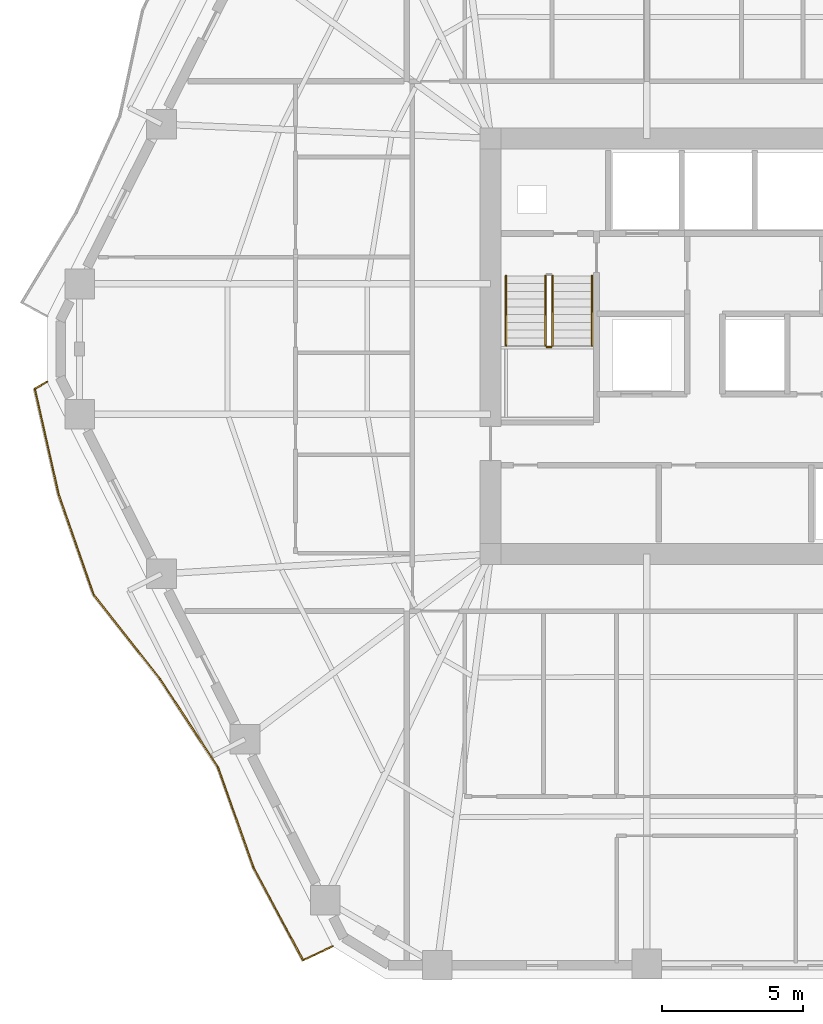
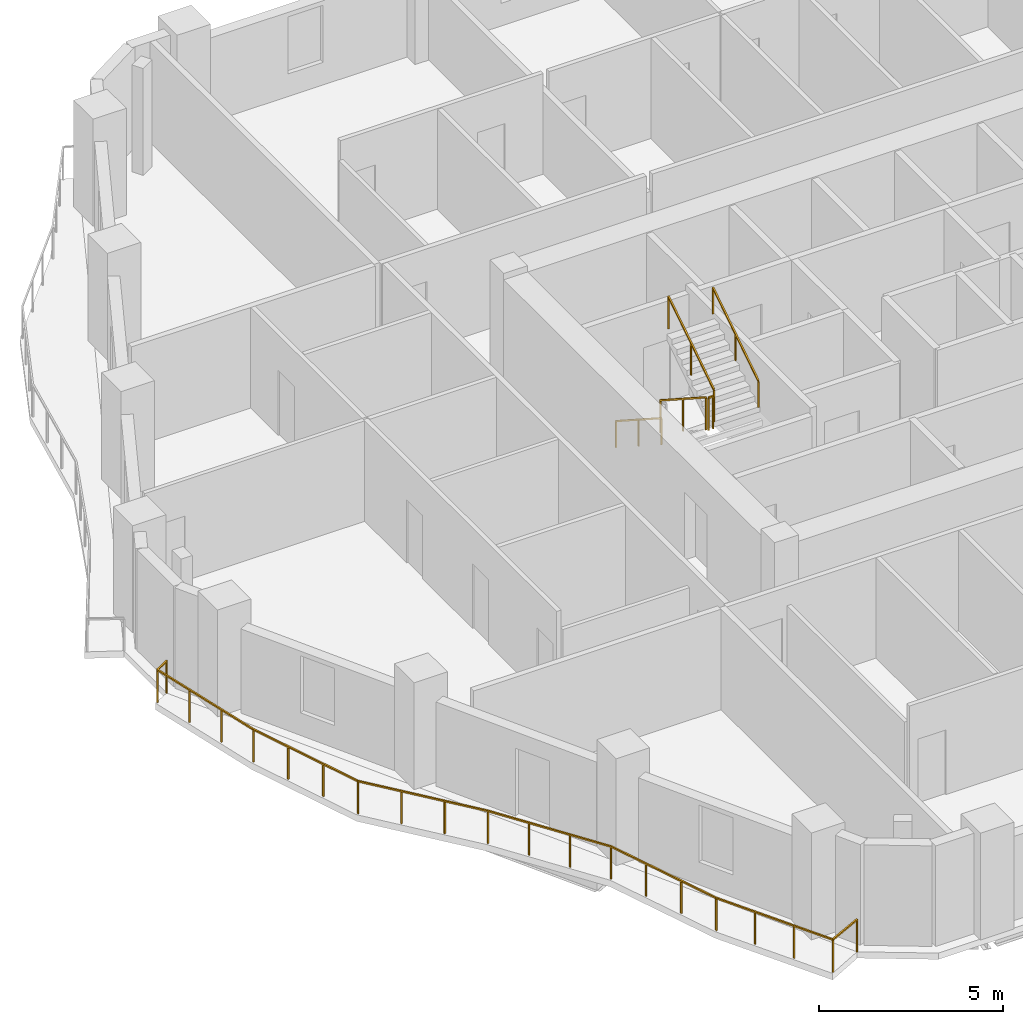
# One storey, part 9 of 11: 6 railings.
"""IFC4 building model written with IfcOpenShell, lengths in metres."""

from ifc_helpers import new_model, si_unit, direction, frame, origin, origin_2d, place, context, subcontext, project, spatial, rectangle, extrude, material, type_object, element, save


model = new_model("IFC4")

# Units and contexts
model_context = context("Model", 3, precision=1e-05, world=origin(), true_north=direction((0.0, 1.0)))
body_context = subcontext(model_context, "Body", "Model", "MODEL_VIEW")
ifc_project = project(units=[si_unit("LENGTHUNIT", "METRE"), si_unit("AREAUNIT", "SQUARE_METRE"), si_unit("VOLUMEUNIT", "CUBIC_METRE"), si_unit("PLANEANGLEUNIT", "RADIAN"), si_unit("MASSUNIT", "GRAM", prefix="KILO")], contexts=[model_context])

# Site, building, storey
site_placement = place(None, origin())
site = spatial("IfcSite", under=ifc_project, at=site_placement, CompositionType="ELEMENT")
building_placement = place(site_placement, origin())
building = spatial("IfcBuilding", under=site, at=building_placement, Name="Cinnabar Lancet Tower", CompositionType="ELEMENT")
storey_placement = place(building_placement, frame((0.0, 0.0, 101.949951171875)))
storey = spatial("IfcBuildingStorey", under=building, at=storey_placement, Name="L26", CompositionType="ELEMENT", Elevation=101.949951171875)

# Railings
ifc_material_1 = material(Name="Laminated safety glass and bronze stainless steel balustrade", Category="steel")
railing_type_1 = type_object("IfcRailingType", Name="ENV-RLG-BAL-1100", PredefinedType="BALUSTRADE", material=ifc_material_1)
railing_1_placement = place(storey_placement, frame((7.287109375, 24.639892578125, 0.0)))
element("IfcRailing", 1, at=railing_1_placement, inside=storey, type_object=railing_type_1, Name="L26 Face 6 Wave Balcony Balustrade", PredefinedType="BALUSTRADE", context=body_context, shape_type="SweptSolid", body=[
    extrude(rectangle(XDim=0.048095703125, YDim=0.048095703125, at=origin_2d()), frame((0.0, 0.0, 1.076171875), z_axis=(-0.865715051361, -0.500537161304, 0.0), x_axis=(0.500537161304, -0.865715051361, 0.0)), (0.0, 0.0, 1.0), 0.50146484375),
    extrude(rectangle(XDim=0.048095703125, YDim=0.048095703125, at=origin_2d()), frame((-0.43408203125, -0.2509765625, 1.076171875), z_axis=(0.220079775706, -0.975481876984, 0.0), x_axis=(0.975481876984, 0.220079775706, 0.0)), (0.0, 0.0, 1.0), 3.84814453125),
    extrude(rectangle(XDim=0.048095703125, YDim=0.048095703125, at=origin_2d()), frame((0.412841796875, -4.0048828125, 1.076171875), z_axis=(0.329971894436, -0.943990756778, 0.0), x_axis=(0.943990756778, 0.329971894436, 0.0)), (0.0, 0.0, 1.0), 3.763671875),
    extrude(rectangle(XDim=0.048095703125, YDim=0.048095703125, at=origin_2d()), frame((1.65478515625, -7.557861328125, 1.076171875), z_axis=(0.618911809816, -0.785460483837, 0.0), x_axis=(0.785460483837, 0.618911809816, 0.0)), (0.0, 0.0, 1.0), 3.805419921875),
    extrude(rectangle(XDim=0.048095703125, YDim=0.048095703125, at=origin_2d()), frame((4.010009765625, -10.546875, 1.076171875), z_axis=(0.548274187943, -0.836298639742, 0.0), x_axis=(0.836298639742, 0.548274187943, 0.0)), (0.0, 0.0, 1.0), 3.75341796875),
    extrude(rectangle(XDim=0.048095703125, YDim=0.048095703125, at=origin_2d()), frame((6.06787109375, -13.685791015625, 1.076171875), z_axis=(0.333725866352, -0.94267016826, 0.0), x_axis=(0.94267016826, 0.333725866352, 0.0)), (0.0, 0.0, 1.0), 3.763916015625),
    extrude(rectangle(XDim=0.048095703125, YDim=0.048095703125, at=origin_2d()), frame((7.323974609375, -17.23388671875, 1.076171875), z_axis=(0.471684176854, -0.881767564217, 0.0), x_axis=(0.881767564217, 0.471684176854, 0.0)), (0.0, 0.0, 1.0), 3.7333984375),
    extrude(rectangle(XDim=0.048095703125, YDim=0.048095703125, at=origin_2d()), frame((9.0849609375, -20.52587890625, 1.076171875), z_axis=(0.9039776364, 0.427579738632, 0.0), x_axis=(-0.427579738632, 0.9039776364, 0.0)), (0.0, 0.0, 1.0), 1.16015625),
    extrude(rectangle(XDim=0.0419921875, YDim=0.0419921875, at=origin_2d()), origin(), (0.0, 0.0, 1.0), 1.052001953125),
    extrude(rectangle(XDim=0.0419921875, YDim=0.0419921875, at=origin_2d()), frame((-0.43408203125, -0.2509765625, 0.0)), (0.0, 0.0, 1.0), 1.052001953125),
    extrude(rectangle(XDim=0.0419921875, YDim=0.0419921875, at=origin_2d()), frame((-0.15185546875, -1.502197265625, 0.0)), (0.0, 0.0, 1.0), 1.052001953125),
    extrude(rectangle(XDim=0.0419921875, YDim=0.0419921875, at=origin_2d()), frame((0.130615234375, -2.753662109375, 0.0)), (0.0, 0.0, 1.0), 1.052001953125),
    extrude(rectangle(XDim=0.0419921875, YDim=0.0419921875, at=origin_2d()), frame((0.412841796875, -4.0048828125, 0.0)), (0.0, 0.0, 1.0), 1.052001953125),
    extrude(rectangle(XDim=0.0419921875, YDim=0.0419921875, at=origin_2d()), frame((0.826904296875, -5.189208984375, 0.0)), (0.0, 0.0, 1.0), 1.052001953125),
    extrude(rectangle(XDim=0.0419921875, YDim=0.0419921875, at=origin_2d()), frame((1.24072265625, -6.37353515625, 0.0)), (0.0, 0.0, 1.0), 1.052001953125),
    extrude(rectangle(XDim=0.0419921875, YDim=0.0419921875, at=origin_2d()), frame((1.65478515625, -7.557861328125, 0.0)), (0.0, 0.0, 1.0), 1.052001953125),
    extrude(rectangle(XDim=0.0419921875, YDim=0.0419921875, at=origin_2d()), frame((2.43994140625, -8.55419921875, 0.0)), (0.0, 0.0, 1.0), 1.052001953125),
    extrude(rectangle(XDim=0.0419921875, YDim=0.0419921875, at=origin_2d()), frame((3.224853515625, -9.550537109375, 0.0)), (0.0, 0.0, 1.0), 1.052001953125),
    extrude(rectangle(XDim=0.0419921875, YDim=0.0419921875, at=origin_2d()), frame((4.010009765625, -10.546875, 0.0)), (0.0, 0.0, 1.0), 1.052001953125),
    extrude(rectangle(XDim=0.0419921875, YDim=0.0419921875, at=origin_2d()), frame((4.696044921875, -11.59326171875, 0.0)), (0.0, 0.0, 1.0), 1.052001953125),
    extrude(rectangle(XDim=0.0419921875, YDim=0.0419921875, at=origin_2d()), frame((5.3818359375, -12.639404296875, 0.0)), (0.0, 0.0, 1.0), 1.052001953125),
    extrude(rectangle(XDim=0.0419921875, YDim=0.0419921875, at=origin_2d()), frame((6.06787109375, -13.685791015625, 0.0)), (0.0, 0.0, 1.0), 1.052001953125),
    extrude(rectangle(XDim=0.0419921875, YDim=0.0419921875, at=origin_2d()), frame((6.486572265625, -14.868408203125, 0.0)), (0.0, 0.0, 1.0), 1.052001953125),
    extrude(rectangle(XDim=0.0419921875, YDim=0.0419921875, at=origin_2d()), frame((6.9052734375, -16.05126953125, 0.0)), (0.0, 0.0, 1.0), 1.052001953125),
    extrude(rectangle(XDim=0.0419921875, YDim=0.0419921875, at=origin_2d()), frame((7.323974609375, -17.23388671875, 0.0)), (0.0, 0.0, 1.0), 1.052001953125),
    extrude(rectangle(XDim=0.0419921875, YDim=0.0419921875, at=origin_2d()), frame((7.910888671875, -18.331298828125, 0.0)), (0.0, 0.0, 1.0), 1.052001953125),
    extrude(rectangle(XDim=0.0419921875, YDim=0.0419921875, at=origin_2d()), frame((8.498046875, -19.428466796875, 0.0)), (0.0, 0.0, 1.0), 1.052001953125),
    extrude(rectangle(XDim=0.0419921875, YDim=0.0419921875, at=origin_2d()), frame((9.0849609375, -20.52587890625, 0.0)), (0.0, 0.0, 1.0), 1.052001953125),
    extrude(rectangle(XDim=0.0419921875, YDim=0.0419921875, at=origin_2d()), frame((10.1337890625, -20.02978515625, 0.0)), (0.0, 0.0, 1.0), 1.052001953125),
])
ifc_material_2 = material(Name="Painted galvanized steel balustrade", Category="steel")
railing_type_2 = type_object("IfcRailingType", Name="GUARD-STAIR", PredefinedType="GUARDRAIL", material=ifc_material_2)
railing_2_placement = place(storey_placement, frame((24.97509765625, 28.39990234375, 0.177490234375)))
element("IfcRailing", 2, at=railing_2_placement, inside=storey, type_object=railing_type_2, Name="L26 ST-1 stair guard 1", PredefinedType="GUARDRAIL", context=body_context, shape_type="SweptSolid", body=[
    extrude(rectangle(XDim=0.048095703125, YDim=0.048095703125, at=origin_2d()), frame((0.0, 0.0, 1.076171875), z_axis=(0.0, -0.84014559416, 0.542360932049), x_axis=(1.0, 0.0, 0.0)), (0.0, 0.0, 1.0), 2.94580078125),
    extrude(rectangle(XDim=0.0419921875, YDim=0.0419921875, at=origin_2d()), origin(), (0.0, 0.0, 1.0), 1.052001953125),
    extrude(rectangle(XDim=0.0419921875, YDim=0.0419921875, at=origin_2d()), frame((0.0, -1.2373046875, 0.798828125)), (0.0, 0.0, 1.0), 1.052001953125),
    extrude(rectangle(XDim=0.0419921875, YDim=0.0419921875, at=origin_2d()), frame((0.0, -2.474853515625, 1.59765625)), (0.0, 0.0, 1.0), 1.052001953125),
])
railing_3_placement = place(storey_placement, frame((25.02490234375, 25.875, 1.775146484375)))
element("IfcRailing", 3, at=railing_3_placement, inside=storey, type_object=railing_type_2, Name="L26 ST-1 stair guard 2", PredefinedType="GUARDRAIL", context=body_context, shape_type="SweptSolid", body=[
    extrude(rectangle(XDim=0.048095703125, YDim=0.048095703125, at=origin_2d()), frame((0.0, 0.0, 1.076171875), z_axis=(1.0, 0.0, 0.0), x_axis=(0.0, 1.0, 0.0)), (0.0, 0.0, 1.0), 0.150146484375),
    extrude(rectangle(XDim=0.0419921875, YDim=0.0419921875, at=origin_2d()), origin(), (0.0, 0.0, 1.0), 1.052001953125),
    extrude(rectangle(XDim=0.0419921875, YDim=0.0419921875, at=origin_2d()), frame((0.150146484375, 0.0, 0.0)), (0.0, 0.0, 1.0), 1.052001953125),
])
railing_4_placement = place(storey_placement, frame((25.22509765625, 25.925048828125, 1.95263671875)))
element("IfcRailing", 4, at=railing_4_placement, inside=storey, type_object=railing_type_2, Name="L26 ST-1 stair guard 3", PredefinedType="GUARDRAIL", context=body_context, shape_type="SweptSolid", body=[
    extrude(rectangle(XDim=0.048095703125, YDim=0.048095703125, at=origin_2d()), frame((0.0, 0.0, 1.076171875), z_axis=(0.0, 0.840183358697, 0.542302428327), x_axis=(-1.0, 0.0, 0.0)), (0.0, 0.0, 1.0), 2.945556640625),
    extrude(rectangle(XDim=0.0419921875, YDim=0.0419921875, at=origin_2d()), origin(), (0.0, 0.0, 1.0), 1.052001953125),
    extrude(rectangle(XDim=0.0419921875, YDim=0.0419921875, at=origin_2d()), frame((0.0, 1.2373046875, 0.798828125)), (0.0, 0.0, 1.0), 1.052001953125),
    extrude(rectangle(XDim=0.0419921875, YDim=0.0419921875, at=origin_2d()), frame((0.0, 2.474853515625, 1.597412109375)), (0.0, 0.0, 1.0), 1.052001953125),
])
ifc_material_3 = material(Name="Brushed stainless steel handrail", Category="steel")
railing_type_3 = type_object("IfcRailingType", Name="HANDRAIL-STAIR", PredefinedType="HANDRAIL", material=ifc_material_3)
railing_5_placement = place(storey_placement, frame((23.574951171875, 28.39990234375, 0.177490234375)))
element("IfcRailing", 5, at=railing_5_placement, inside=storey, type_object=railing_type_3, Name="L26 ST-1 stair handrail 1", PredefinedType="HANDRAIL", context=body_context, shape_type="SweptSolid", body=[
    extrude(rectangle(XDim=0.048095703125, YDim=0.048095703125, at=origin_2d()), frame((0.0, 0.0, 0.8759765625), z_axis=(0.0, -0.84014559416, 0.542360932049), x_axis=(1.0, 0.0, 0.0)), (0.0, 0.0, 1.0), 2.94580078125),
    extrude(rectangle(XDim=0.0419921875, YDim=0.0419921875, at=origin_2d()), origin(), (0.0, 0.0, 1.0), 0.851806640625),
    extrude(rectangle(XDim=0.0419921875, YDim=0.0419921875, at=origin_2d()), frame((0.0, -1.2373046875, 0.798828125)), (0.0, 0.0, 1.0), 0.851806640625),
    extrude(rectangle(XDim=0.0419921875, YDim=0.0419921875, at=origin_2d()), frame((0.0, -2.474853515625, 1.59765625)), (0.0, 0.0, 1.0), 0.851806640625),
])
railing_6_placement = place(storey_placement, frame((26.625, 25.925048828125, 1.95263671875)))
element("IfcRailing", 6, at=railing_6_placement, inside=storey, type_object=railing_type_3, Name="L26 ST-1 stair handrail 2", PredefinedType="HANDRAIL", context=body_context, shape_type="SweptSolid", body=[
    extrude(rectangle(XDim=0.048095703125, YDim=0.048095703125, at=origin_2d()), frame((0.0, 0.0, 0.8759765625), z_axis=(0.0, 0.840183358697, 0.542302428327), x_axis=(-1.0, 0.0, 0.0)), (0.0, 0.0, 1.0), 2.945556640625),
    extrude(rectangle(XDim=0.0419921875, YDim=0.0419921875, at=origin_2d()), origin(), (0.0, 0.0, 1.0), 0.851806640625),
    extrude(rectangle(XDim=0.0419921875, YDim=0.0419921875, at=origin_2d()), frame((0.0, 1.2373046875, 0.798828125)), (0.0, 0.0, 1.0), 0.851806640625),
    extrude(rectangle(XDim=0.0419921875, YDim=0.0419921875, at=origin_2d()), frame((0.0, 2.474853515625, 1.597412109375)), (0.0, 0.0, 1.0), 0.851806640625),
])

save(model, "model.ifc")
